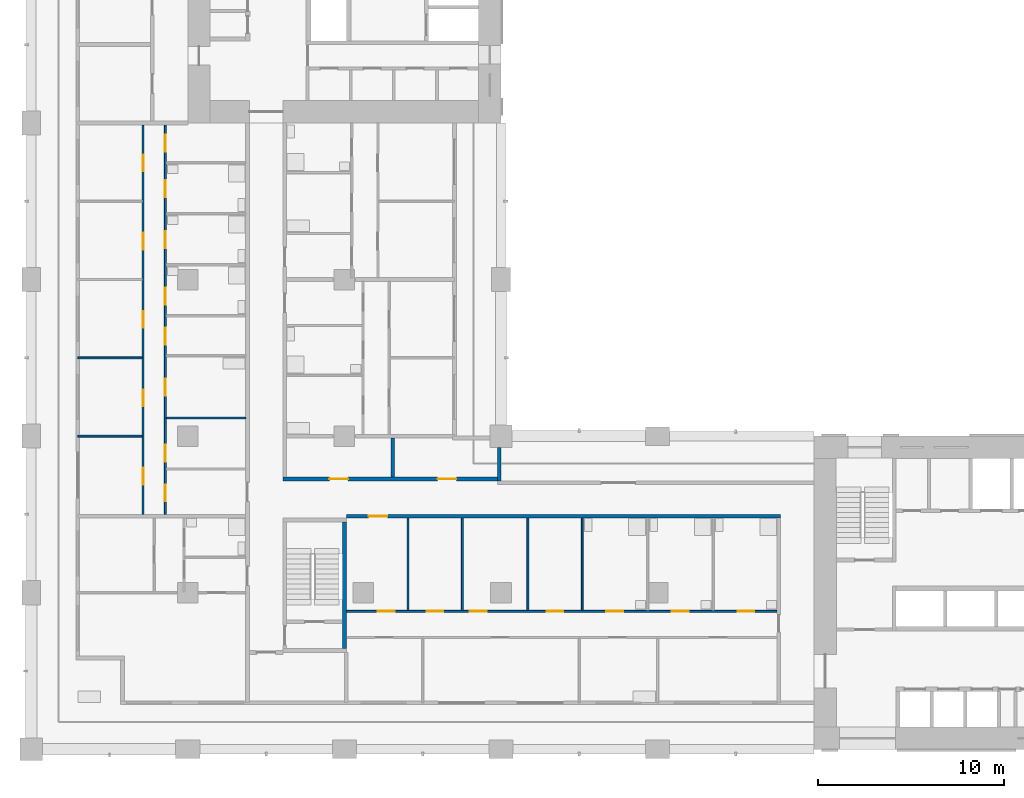
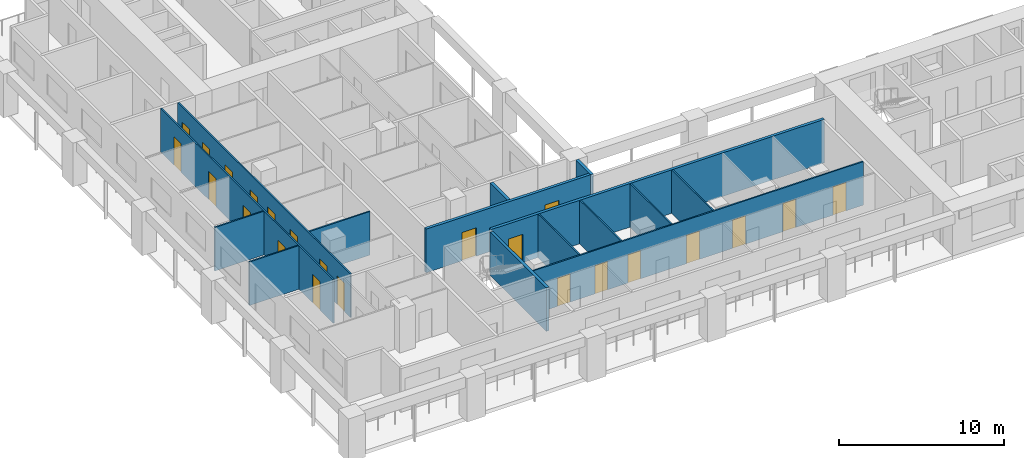
# One storey, part 3 of 17: 23 doors, 15 walls, 23 openings.
"""IFC4 building model written with IfcOpenShell, lengths in metres."""

from ifc_helpers import new_model, si_unit, direction, frame, frame_2d, origin, place, context, subcontext, project, spatial, rectangle, extrude, material, layer, layer_set, type_object, element, fill, save


model = new_model("IFC4")

# Units and contexts
model_context = context("Model", 3, precision=1e-05, world=origin(), true_north=direction((0.0, 1.0)))
body_context = subcontext(model_context, "Body", "Model", "MODEL_VIEW")
ifc_project = project(units=[si_unit("LENGTHUNIT", "METRE"), si_unit("AREAUNIT", "SQUARE_METRE"), si_unit("VOLUMEUNIT", "CUBIC_METRE"), si_unit("PLANEANGLEUNIT", "RADIAN"), si_unit("MASSUNIT", "GRAM", prefix="KILO")], contexts=[model_context])

# Site, building, storey
site_placement = place(None, origin())
site = spatial("IfcSite", under=ifc_project, at=site_placement, CompositionType="ELEMENT")
building_placement = place(site_placement, origin())
building = spatial("IfcBuilding", under=site, at=building_placement, Name="Vermilion Gate Residences", CompositionType="ELEMENT")
storey_placement = place(building_placement, frame((0.0, 0.0, 91.699951171875)))
storey = spatial("IfcBuildingStorey", under=building, at=storey_placement, Name="L22", CompositionType="ELEMENT", Elevation=91.699951171875)

# Wall
ifc_material_1 = material(Name="Insulated steel stud wall with terracotta rainscreen", Category="masonry")
ifc_layer_1 = layer(ifc_material_1, 0.199951171875)
ifc_layer_set_1 = layer_set([ifc_layer_1], Name="EXTERNAL WALL 200 TERRACOTTA RAINSCREEN")
wall_type_1 = type_object("IfcWallType", Name="EXTERNAL WALL 200 TERRACOTTA RAINSCREEN", PredefinedType="SOLIDWALL", material=ifc_layer_set_1)
wall_1_placement = place(storey_placement, frame((25.10009765625, 22.800048828125, 0.0), z_axis=(0.0, 0.0, 1.0), x_axis=(0.0, 1.0, 0.0)))
element("IfcWall", 1, at=wall_1_placement, inside=storey, type_object=wall_type_1, Name="External wall", PredefinedType="SOLIDWALL", context=body_context, shape_type="SweptSolid", body=[
    extrude(rectangle(XDim=1.800048828125, YDim=0.199951171875, at=frame_2d((0.89990234375, 0.0))), origin(), (0.0, 0.0, 1.0), 3.219970703125),
])

# Wall, openings, doors
ifc_material_2 = material(Name="Plasterboard on steel studs", Category="steel")
ifc_layer_2 = layer(ifc_material_2, 0.10009765625)
ifc_layer_set_2 = layer_set([ifc_layer_2], Name="PARTITION 100")
wall_type_2 = type_object("IfcWallType", Name="PARTITION 100", PredefinedType="PARTITIONING", material=ifc_layer_set_2)
wall_2_placement = place(storey_placement, frame((16.89990234375, 15.800048828125, 0.0), z_axis=(0.0, 0.0, 1.0), x_axis=(1.0, 0.0, 0.0)))
wall_2 = element("IfcWall", 2, at=wall_2_placement, inside=storey, type_object=wall_type_2, Name="Partition", PredefinedType="PARTITIONING", context=body_context, shape_type="SweptSolid", body=[
    extrude(rectangle(XDim=23.10009765625, YDim=0.10009765625, at=frame_2d((11.550048828125, 0.0))), origin(), (0.0, 0.0, 1.0), 3.219970703125),
])
opening_1_placement = place(wall_2_placement, frame((1.699951171875, 0.0, 0.0)))
opening_1 = element("IfcOpeningElement", 3, at=opening_1_placement, cuts=wall_2, Name="Opening DA22006", PredefinedType="OPENING", context=body_context, shape_type="SweptSolid", body=[
    extrude(rectangle(XDim=0.89990234375, YDim=2.10009765625, at=frame_2d((0.449951171875, 1.050048828125))), frame((0.0, 0.06005859375, 0.0), z_axis=(0.0, -1.0, 0.0), x_axis=(1.0, 0.0, 0.0)), (0.0, 0.0, 1.0), 0.1201171875),
])
opening_2_placement = place(wall_2_placement, frame((4.31396484375, 0.0, 0.0)))
opening_2 = element("IfcOpeningElement", 4, at=opening_2_placement, cuts=wall_2, Name="Opening DA22007", PredefinedType="OPENING", context=body_context, shape_type="SweptSolid", body=[
    extrude(rectangle(XDim=0.89990234375, YDim=2.10009765625, at=frame_2d((0.449951171875, 1.050048828125))), frame((0.0, 0.06005859375, 0.0), z_axis=(0.0, -1.0, 0.0), x_axis=(1.0, 0.0, 0.0)), (0.0, 0.0, 1.0), 0.1201171875),
])
opening_3_placement = place(wall_2_placement, frame((6.62890625, 0.0, 0.0)))
opening_3 = element("IfcOpeningElement", 5, at=opening_3_placement, cuts=wall_2, Name="Opening DA22008", PredefinedType="OPENING", context=body_context, shape_type="SweptSolid", body=[
    extrude(rectangle(XDim=0.89990234375, YDim=2.10009765625, at=frame_2d((0.449951171875, 1.050048828125))), frame((0.0, 0.06005859375, 0.0), z_axis=(0.0, -1.0, 0.0), x_axis=(1.0, 0.0, 0.0)), (0.0, 0.0, 1.0), 0.1201171875),
])
opening_4_placement = place(wall_2_placement, frame((10.742919921875, 0.0, 0.0)))
opening_4 = element("IfcOpeningElement", 6, at=opening_4_placement, cuts=wall_2, Name="Opening DA22009", PredefinedType="OPENING", context=body_context, shape_type="SweptSolid", body=[
    extrude(rectangle(XDim=0.89990234375, YDim=2.10009765625, at=frame_2d((0.449951171875, 1.050048828125))), frame((0.0, 0.06005859375, 0.0), z_axis=(0.0, -1.0, 0.0), x_axis=(1.0, 0.0, 0.0)), (0.0, 0.0, 1.0), 0.1201171875),
])
opening_5_placement = place(wall_2_placement, frame((13.95703125, 0.0, 0.0)))
opening_5 = element("IfcOpeningElement", 7, at=opening_5_placement, cuts=wall_2, Name="Opening DA22010", PredefinedType="OPENING", context=body_context, shape_type="SweptSolid", body=[
    extrude(rectangle(XDim=0.89990234375, YDim=2.10009765625, at=frame_2d((0.449951171875, 1.050048828125))), frame((0.0, 0.06005859375, 0.0), z_axis=(0.0, -1.0, 0.0), x_axis=(1.0, 0.0, 0.0)), (0.0, 0.0, 1.0), 0.1201171875),
])
opening_6_placement = place(wall_2_placement, frame((17.471923828125, 0.0, 0.0)))
opening_6 = element("IfcOpeningElement", 8, at=opening_6_placement, cuts=wall_2, Name="Opening DA22011", PredefinedType="OPENING", context=body_context, shape_type="SweptSolid", body=[
    extrude(rectangle(XDim=0.89990234375, YDim=2.10009765625, at=frame_2d((0.449951171875, 1.050048828125))), frame((0.0, 0.06005859375, 0.0), z_axis=(0.0, -1.0, 0.0), x_axis=(1.0, 0.0, 0.0)), (0.0, 0.0, 1.0), 0.1201171875),
])
opening_7_placement = place(wall_2_placement, frame((20.986083984375, 0.0, 0.0)))
opening_7 = element("IfcOpeningElement", 9, at=opening_7_placement, cuts=wall_2, Name="Opening DA22012", PredefinedType="OPENING", context=body_context, shape_type="SweptSolid", body=[
    extrude(rectangle(XDim=0.89990234375, YDim=2.10009765625, at=frame_2d((0.449951171875, 1.050048828125))), frame((0.0, 0.06005859375, 0.0), z_axis=(0.0, -1.0, 0.0), x_axis=(1.0, 0.0, 0.0)), (0.0, 0.0, 1.0), 0.1201171875),
])
ifc_material_3 = material(Name="Timber", Category="wood")
door_type_1 = type_object("IfcDoorType", Name="INTERIOR DOOR 900 X 2100", OperationType="SINGLE_SWING_LEFT", PredefinedType="DOOR", material=ifc_material_3)
door_1_placement = place(opening_1_placement, origin())
door_1 = element("IfcDoor", 10, at=door_1_placement, inside=storey, type_object=door_type_1, Name="Interior door", OperationType="SINGLE_SWING_RIGHT", OverallHeight=2.10009765625, OverallWidth=0.89990234375, PredefinedType="DOOR", context=body_context, shape_type="SweptSolid", body=[
    extrude(rectangle(XDim=0.89990234375, YDim=2.10009765625, at=frame_2d((0.449951171875, 1.050048828125))), frame((0.0, 0.02490234375, 0.0), z_axis=(0.0, -1.0, 0.0), x_axis=(1.0, 0.0, 0.0)), (0.0, 0.0, 1.0), 0.050048828125),
])
fill(opening_1, door_1)
door_2_placement = place(opening_2_placement, origin())
door_2 = element("IfcDoor", 11, at=door_2_placement, inside=storey, type_object=door_type_1, Name="Interior door", OperationType="SINGLE_SWING_LEFT", OverallHeight=2.10009765625, OverallWidth=0.89990234375, PredefinedType="DOOR", context=body_context, shape_type="SweptSolid", body=[
    extrude(rectangle(XDim=0.89990234375, YDim=2.10009765625, at=frame_2d((0.449951171875, 1.050048828125))), frame((0.0, 0.02490234375, 0.0), z_axis=(0.0, -1.0, 0.0), x_axis=(1.0, 0.0, 0.0)), (0.0, 0.0, 1.0), 0.050048828125),
])
fill(opening_2, door_2)
door_3_placement = place(opening_3_placement, origin())
door_3 = element("IfcDoor", 12, at=door_3_placement, inside=storey, type_object=door_type_1, Name="Interior door", OperationType="SINGLE_SWING_LEFT", OverallHeight=2.10009765625, OverallWidth=0.89990234375, PredefinedType="DOOR", context=body_context, shape_type="SweptSolid", body=[
    extrude(rectangle(XDim=0.89990234375, YDim=2.10009765625, at=frame_2d((0.449951171875, 1.050048828125))), frame((0.0, 0.02490234375, 0.0), z_axis=(0.0, -1.0, 0.0), x_axis=(1.0, 0.0, 0.0)), (0.0, 0.0, 1.0), 0.050048828125),
])
fill(opening_3, door_3)
door_4_placement = place(opening_4_placement, origin())
door_4 = element("IfcDoor", 13, at=door_4_placement, inside=storey, type_object=door_type_1, Name="Interior door", OperationType="SINGLE_SWING_LEFT", OverallHeight=2.10009765625, OverallWidth=0.89990234375, PredefinedType="DOOR", context=body_context, shape_type="SweptSolid", body=[
    extrude(rectangle(XDim=0.89990234375, YDim=2.10009765625, at=frame_2d((0.449951171875, 1.050048828125))), frame((0.0, 0.02490234375, 0.0), z_axis=(0.0, -1.0, 0.0), x_axis=(1.0, 0.0, 0.0)), (0.0, 0.0, 1.0), 0.050048828125),
])
fill(opening_4, door_4)
door_5_placement = place(opening_5_placement, origin())
door_5 = element("IfcDoor", 14, at=door_5_placement, inside=storey, type_object=door_type_1, Name="Interior door", OperationType="SINGLE_SWING_RIGHT", OverallHeight=2.10009765625, OverallWidth=0.89990234375, PredefinedType="DOOR", context=body_context, shape_type="SweptSolid", body=[
    extrude(rectangle(XDim=0.89990234375, YDim=2.10009765625, at=frame_2d((0.449951171875, 1.050048828125))), frame((0.0, 0.02490234375, 0.0), z_axis=(0.0, -1.0, 0.0), x_axis=(1.0, 0.0, 0.0)), (0.0, 0.0, 1.0), 0.050048828125),
])
fill(opening_5, door_5)
door_6_placement = place(opening_6_placement, origin())
door_6 = element("IfcDoor", 15, at=door_6_placement, inside=storey, type_object=door_type_1, Name="Interior door", OperationType="SINGLE_SWING_RIGHT", OverallHeight=2.10009765625, OverallWidth=0.89990234375, PredefinedType="DOOR", context=body_context, shape_type="SweptSolid", body=[
    extrude(rectangle(XDim=0.89990234375, YDim=2.10009765625, at=frame_2d((0.449951171875, 1.050048828125))), frame((0.0, 0.02490234375, 0.0), z_axis=(0.0, -1.0, 0.0), x_axis=(1.0, 0.0, 0.0)), (0.0, 0.0, 1.0), 0.050048828125),
])
fill(opening_6, door_6)
door_7_placement = place(opening_7_placement, origin())
door_7 = element("IfcDoor", 16, at=door_7_placement, inside=storey, type_object=door_type_1, Name="Interior door", OperationType="SINGLE_SWING_RIGHT", OverallHeight=2.10009765625, OverallWidth=0.89990234375, PredefinedType="DOOR", context=body_context, shape_type="SweptSolid", body=[
    extrude(rectangle(XDim=0.89990234375, YDim=2.10009765625, at=frame_2d((0.449951171875, 1.050048828125))), frame((0.0, 0.02490234375, 0.0), z_axis=(0.0, -1.0, 0.0), x_axis=(1.0, 0.0, 0.0)), (0.0, 0.0, 1.0), 0.050048828125),
])
fill(opening_7, door_7)

# Walls
wall_3_placement = place(storey_placement, frame((2.5, 25.199951171875, 0.0), z_axis=(0.0, 0.0, 1.0), x_axis=(1.0, 0.0, 0.0)))
element("IfcWall", 17, at=wall_3_placement, inside=storey, type_object=wall_type_2, Name="Partition", PredefinedType="PARTITIONING", context=body_context, shape_type="SweptSolid", body=[
    extrude(rectangle(XDim=3.449951171875, YDim=0.10009765625, at=frame_2d((1.72509765625, 0.0))), origin(), (0.0, 0.0, 1.0), 3.219970703125),
])
wall_4_placement = place(storey_placement, frame((7.25, 26.175048828125, 0.0), z_axis=(0.0, 0.0, 1.0), x_axis=(1.0, 0.0, 0.0)))
element("IfcWall", 18, at=wall_4_placement, inside=storey, type_object=wall_type_2, Name="Partition", PredefinedType="PARTITIONING", context=body_context, shape_type="SweptSolid", body=[
    extrude(rectangle(XDim=4.25, YDim=0.10009765625, at=frame_2d((2.125, 0.0))), origin(), (0.0, 0.0, 1.0), 3.219970703125),
])
wall_5_placement = place(storey_placement, frame((2.5, 29.39990234375, 0.0), z_axis=(0.0, 0.0, 1.0), x_axis=(1.0, 0.0, 0.0)))
element("IfcWall", 19, at=wall_5_placement, inside=storey, type_object=wall_type_2, Name="Partition", PredefinedType="PARTITIONING", context=body_context, shape_type="SweptSolid", body=[
    extrude(rectangle(XDim=3.449951171875, YDim=0.10009765625, at=frame_2d((1.72509765625, 0.0))), origin(), (0.0, 0.0, 1.0), 3.219970703125),
])

# Wall, openings, doors
wall_6_placement = place(storey_placement, frame((6.0, 21.0, 0.0), z_axis=(0.0, 0.0, 1.0), x_axis=(0.0, 1.0, 0.0)))
wall_6 = element("IfcWall", 20, at=wall_6_placement, inside=storey, type_object=wall_type_2, Name="Partition", PredefinedType="PARTITIONING", context=body_context, shape_type="SweptSolid", body=[
    extrude(rectangle(XDim=20.89990234375, YDim=0.10009765625, at=frame_2d((10.449951171875, 0.0))), origin(), (0.0, 0.0, 1.0), 3.219970703125),
])
opening_8_placement = place(wall_6_placement, frame((1.60009765625, 0.0, 0.0)))
opening_8 = element("IfcOpeningElement", 21, at=opening_8_placement, cuts=wall_6, Name="Opening DA22017", PredefinedType="OPENING", context=body_context, shape_type="SweptSolid", body=[
    extrude(rectangle(XDim=0.89990234375, YDim=2.10009765625, at=frame_2d((0.449951171875, 1.050048828125))), frame((0.0, 0.06005859375, 0.0), z_axis=(0.0, -1.0, 0.0), x_axis=(1.0, 0.0, 0.0)), (0.0, 0.0, 1.0), 0.1201171875),
])
opening_9_placement = place(wall_6_placement, frame((5.800048828125, 0.0, 0.0)))
opening_9 = element("IfcOpeningElement", 22, at=opening_9_placement, cuts=wall_6, Name="Opening DA22018", PredefinedType="OPENING", context=body_context, shape_type="SweptSolid", body=[
    extrude(rectangle(XDim=0.89990234375, YDim=2.10009765625, at=frame_2d((0.449951171875, 1.050048828125))), frame((0.0, 0.06005859375, 0.0), z_axis=(0.0, -1.0, 0.0), x_axis=(1.0, 0.0, 0.0)), (0.0, 0.0, 1.0), 0.1201171875),
])
opening_10_placement = place(wall_6_placement, frame((10.0, 0.0, 0.0)))
opening_10 = element("IfcOpeningElement", 23, at=opening_10_placement, cuts=wall_6, Name="Opening DA22019", PredefinedType="OPENING", context=body_context, shape_type="SweptSolid", body=[
    extrude(rectangle(XDim=0.89990234375, YDim=2.10009765625, at=frame_2d((0.449951171875, 1.050048828125))), frame((0.0, 0.06005859375, 0.0), z_axis=(0.0, -1.0, 0.0), x_axis=(1.0, 0.0, 0.0)), (0.0, 0.0, 1.0), 0.1201171875),
])
opening_11_placement = place(wall_6_placement, frame((14.199951171875, 0.0, 0.0)))
opening_11 = element("IfcOpeningElement", 24, at=opening_11_placement, cuts=wall_6, Name="Opening DA22020", PredefinedType="OPENING", context=body_context, shape_type="SweptSolid", body=[
    extrude(rectangle(XDim=0.89990234375, YDim=2.10009765625, at=frame_2d((0.449951171875, 1.050048828125))), frame((0.0, 0.06005859375, 0.0), z_axis=(0.0, -1.0, 0.0), x_axis=(1.0, 0.0, 0.0)), (0.0, 0.0, 1.0), 0.1201171875),
])
opening_12_placement = place(wall_6_placement, frame((18.39990234375, 0.0, 0.0)))
opening_12 = element("IfcOpeningElement", 25, at=opening_12_placement, cuts=wall_6, Name="Opening DA22021", PredefinedType="OPENING", context=body_context, shape_type="SweptSolid", body=[
    extrude(rectangle(XDim=0.89990234375, YDim=2.10009765625, at=frame_2d((0.449951171875, 1.050048828125))), frame((0.0, 0.06005859375, 0.0), z_axis=(0.0, -1.0, 0.0), x_axis=(1.0, 0.0, 0.0)), (0.0, 0.0, 1.0), 0.1201171875),
])
door_8_placement = place(opening_8_placement, origin())
door_8 = element("IfcDoor", 26, at=door_8_placement, inside=storey, type_object=door_type_1, Name="Interior door", OperationType="SINGLE_SWING_LEFT", OverallHeight=2.10009765625, OverallWidth=0.89990234375, PredefinedType="DOOR", context=body_context, shape_type="SweptSolid", body=[
    extrude(rectangle(XDim=0.89990234375, YDim=2.10009765625, at=frame_2d((0.449951171875, 1.050048828125))), frame((0.0, 0.02490234375, 0.0), z_axis=(0.0, -1.0, 0.0), x_axis=(1.0, 0.0, 0.0)), (0.0, 0.0, 1.0), 0.050048828125),
])
fill(opening_8, door_8)
door_9_placement = place(opening_9_placement, origin())
door_9 = element("IfcDoor", 27, at=door_9_placement, inside=storey, type_object=door_type_1, Name="Interior door", OperationType="SINGLE_SWING_LEFT", OverallHeight=2.10009765625, OverallWidth=0.89990234375, PredefinedType="DOOR", context=body_context, shape_type="SweptSolid", body=[
    extrude(rectangle(XDim=0.89990234375, YDim=2.10009765625, at=frame_2d((0.449951171875, 1.050048828125))), frame((0.0, 0.02490234375, 0.0), z_axis=(0.0, -1.0, 0.0), x_axis=(1.0, 0.0, 0.0)), (0.0, 0.0, 1.0), 0.050048828125),
])
fill(opening_9, door_9)
door_10_placement = place(opening_10_placement, origin())
door_10 = element("IfcDoor", 28, at=door_10_placement, inside=storey, type_object=door_type_1, Name="Interior door", OperationType="SINGLE_SWING_LEFT", OverallHeight=2.10009765625, OverallWidth=0.89990234375, PredefinedType="DOOR", context=body_context, shape_type="SweptSolid", body=[
    extrude(rectangle(XDim=0.89990234375, YDim=2.10009765625, at=frame_2d((0.449951171875, 1.050048828125))), frame((0.0, 0.02490234375, 0.0), z_axis=(0.0, -1.0, 0.0), x_axis=(1.0, 0.0, 0.0)), (0.0, 0.0, 1.0), 0.050048828125),
])
fill(opening_10, door_10)
door_11_placement = place(opening_11_placement, origin())
door_11 = element("IfcDoor", 29, at=door_11_placement, inside=storey, type_object=door_type_1, Name="Interior door", OperationType="SINGLE_SWING_LEFT", OverallHeight=2.10009765625, OverallWidth=0.89990234375, PredefinedType="DOOR", context=body_context, shape_type="SweptSolid", body=[
    extrude(rectangle(XDim=0.89990234375, YDim=2.10009765625, at=frame_2d((0.449951171875, 1.050048828125))), frame((0.0, 0.02490234375, 0.0), z_axis=(0.0, -1.0, 0.0), x_axis=(1.0, 0.0, 0.0)), (0.0, 0.0, 1.0), 0.050048828125),
])
fill(opening_11, door_11)
door_12_placement = place(opening_12_placement, origin())
door_12 = element("IfcDoor", 30, at=door_12_placement, inside=storey, type_object=door_type_1, Name="Interior door", OperationType="SINGLE_SWING_LEFT", OverallHeight=2.10009765625, OverallWidth=0.89990234375, PredefinedType="DOOR", context=body_context, shape_type="SweptSolid", body=[
    extrude(rectangle(XDim=0.89990234375, YDim=2.10009765625, at=frame_2d((0.449951171875, 1.050048828125))), frame((0.0, 0.02490234375, 0.0), z_axis=(0.0, -1.0, 0.0), x_axis=(1.0, 0.0, 0.0)), (0.0, 0.0, 1.0), 0.050048828125),
])
fill(opening_12, door_12)

wall_7_placement = place(storey_placement, frame((7.199951171875, 21.0, 0.0), z_axis=(0.0, 0.0, 1.0), x_axis=(0.0, 1.0, 0.0)))
wall_7 = element("IfcWall", 31, at=wall_7_placement, inside=storey, type_object=wall_type_2, Name="Partition", PredefinedType="PARTITIONING", context=body_context, shape_type="SweptSolid", body=[
    extrude(rectangle(XDim=20.89990234375, YDim=0.10009765625, at=frame_2d((10.449951171875, 0.0))), origin(), (0.0, 0.0, 1.0), 3.219970703125),
])
opening_13_placement = place(wall_7_placement, frame((0.699951171875, 0.0, 0.0)))
opening_13 = element("IfcOpeningElement", 32, at=opening_13_placement, cuts=wall_7, Name="Opening DA22026", PredefinedType="OPENING", context=body_context, shape_type="SweptSolid", body=[
    extrude(rectangle(XDim=0.89990234375, YDim=2.10009765625, at=frame_2d((0.449951171875, 1.050048828125))), frame((0.0, 0.06005859375, 0.0), z_axis=(0.0, -1.0, 0.0), x_axis=(1.0, 0.0, 0.0)), (0.0, 0.0, 1.0), 0.1201171875),
])
opening_14_placement = place(wall_7_placement, frame((2.837890625, 0.0, 0.0)))
opening_14 = element("IfcOpeningElement", 33, at=opening_14_placement, cuts=wall_7, Name="Opening DA22027", PredefinedType="OPENING", context=body_context, shape_type="SweptSolid", body=[
    extrude(rectangle(XDim=0.89990234375, YDim=2.10009765625, at=frame_2d((0.449951171875, 1.050048828125))), frame((0.0, 0.06005859375, 0.0), z_axis=(0.0, -1.0, 0.0), x_axis=(1.0, 0.0, 0.0)), (0.0, 0.0, 1.0), 0.1201171875),
])
opening_15_placement = place(wall_7_placement, frame((6.375, 0.0, 0.0)))
opening_15 = element("IfcOpeningElement", 34, at=opening_15_placement, cuts=wall_7, Name="Opening DA22028", PredefinedType="OPENING", context=body_context, shape_type="SweptSolid", body=[
    extrude(rectangle(XDim=0.89990234375, YDim=2.10009765625, at=frame_2d((0.449951171875, 1.050048828125))), frame((0.0, 0.06005859375, 0.0), z_axis=(0.0, -1.0, 0.0), x_axis=(1.0, 0.0, 0.0)), (0.0, 0.0, 1.0), 0.1201171875),
])
opening_16_placement = place(wall_7_placement, frame((9.113037109375, 0.0, 0.0)))
opening_16 = element("IfcOpeningElement", 35, at=opening_16_placement, cuts=wall_7, Name="Opening DA22029", PredefinedType="OPENING", context=body_context, shape_type="SweptSolid", body=[
    extrude(rectangle(XDim=0.89990234375, YDim=2.10009765625, at=frame_2d((0.449951171875, 1.050048828125))), frame((0.0, 0.06005859375, 0.0), z_axis=(0.0, -1.0, 0.0), x_axis=(1.0, 0.0, 0.0)), (0.0, 0.0, 1.0), 0.1201171875),
])
opening_17_placement = place(wall_7_placement, frame((11.25, 0.0, 0.0)))
opening_17 = element("IfcOpeningElement", 36, at=opening_17_placement, cuts=wall_7, Name="Opening DA22030", PredefinedType="OPENING", context=body_context, shape_type="SweptSolid", body=[
    extrude(rectangle(XDim=0.89990234375, YDim=2.10009765625, at=frame_2d((0.449951171875, 1.050048828125))), frame((0.0, 0.06005859375, 0.0), z_axis=(0.0, -1.0, 0.0), x_axis=(1.0, 0.0, 0.0)), (0.0, 0.0, 1.0), 0.1201171875),
])
opening_18_placement = place(wall_7_placement, frame((14.2880859375, 0.0, 0.0)))
opening_18 = element("IfcOpeningElement", 37, at=opening_18_placement, cuts=wall_7, Name="Opening DA22031", PredefinedType="OPENING", context=body_context, shape_type="SweptSolid", body=[
    extrude(rectangle(XDim=0.89990234375, YDim=2.10009765625, at=frame_2d((0.449951171875, 1.050048828125))), frame((0.0, 0.06005859375, 0.0), z_axis=(0.0, -1.0, 0.0), x_axis=(1.0, 0.0, 0.0)), (0.0, 0.0, 1.0), 0.1201171875),
])
opening_19_placement = place(wall_7_placement, frame((17.02490234375, 0.0, 0.0)))
opening_19 = element("IfcOpeningElement", 38, at=opening_19_placement, cuts=wall_7, Name="Opening DA22032", PredefinedType="OPENING", context=body_context, shape_type="SweptSolid", body=[
    extrude(rectangle(XDim=0.89990234375, YDim=2.10009765625, at=frame_2d((0.449951171875, 1.050048828125))), frame((0.0, 0.06005859375, 0.0), z_axis=(0.0, -1.0, 0.0), x_axis=(1.0, 0.0, 0.0)), (0.0, 0.0, 1.0), 0.1201171875),
])
opening_20_placement = place(wall_7_placement, frame((19.462890625, 0.0, 0.0)))
opening_20 = element("IfcOpeningElement", 39, at=opening_20_placement, cuts=wall_7, Name="Opening DA22033", PredefinedType="OPENING", context=body_context, shape_type="SweptSolid", body=[
    extrude(rectangle(XDim=0.89990234375, YDim=2.10009765625, at=frame_2d((0.449951171875, 1.050048828125))), frame((0.0, 0.06005859375, 0.0), z_axis=(0.0, -1.0, 0.0), x_axis=(1.0, 0.0, 0.0)), (0.0, 0.0, 1.0), 0.1201171875),
])
door_13_placement = place(opening_13_placement, frame((0.89990234375, 0.0, 0.0), z_axis=(0.0, 0.0, 1.0), x_axis=(-1.0, 0.0, 0.0)))
door_13 = element("IfcDoor", 40, at=door_13_placement, inside=storey, type_object=door_type_1, Name="Interior door", OperationType="SINGLE_SWING_RIGHT", OverallHeight=2.10009765625, OverallWidth=0.89990234375, PredefinedType="DOOR", context=body_context, shape_type="SweptSolid", body=[
    extrude(rectangle(XDim=0.89990234375, YDim=2.10009765625, at=frame_2d((0.449951171875, 1.050048828125))), frame((0.0, 0.02490234375, 0.0), z_axis=(0.0, -1.0, 0.0), x_axis=(1.0, 0.0, 0.0)), (0.0, 0.0, 1.0), 0.050048828125),
])
fill(opening_13, door_13)
door_14_placement = place(opening_14_placement, frame((0.89990234375, 0.0, 0.0), z_axis=(0.0, 0.0, 1.0), x_axis=(-1.0, 0.0, 0.0)))
door_14 = element("IfcDoor", 41, at=door_14_placement, inside=storey, type_object=door_type_1, Name="Interior door", OperationType="SINGLE_SWING_RIGHT", OverallHeight=2.10009765625, OverallWidth=0.89990234375, PredefinedType="DOOR", context=body_context, shape_type="SweptSolid", body=[
    extrude(rectangle(XDim=0.89990234375, YDim=2.10009765625, at=frame_2d((0.449951171875, 1.050048828125))), frame((0.0, 0.02490234375, 0.0), z_axis=(0.0, -1.0, 0.0), x_axis=(1.0, 0.0, 0.0)), (0.0, 0.0, 1.0), 0.050048828125),
])
fill(opening_14, door_14)
door_15_placement = place(opening_15_placement, frame((0.89990234375, 0.0, 0.0), z_axis=(0.0, 0.0, 1.0), x_axis=(-1.0, 0.0, 0.0)))
door_15 = element("IfcDoor", 42, at=door_15_placement, inside=storey, type_object=door_type_1, Name="Interior door", OperationType="SINGLE_SWING_RIGHT", OverallHeight=2.10009765625, OverallWidth=0.89990234375, PredefinedType="DOOR", context=body_context, shape_type="SweptSolid", body=[
    extrude(rectangle(XDim=0.89990234375, YDim=2.10009765625, at=frame_2d((0.449951171875, 1.050048828125))), frame((0.0, 0.02490234375, 0.0), z_axis=(0.0, -1.0, 0.0), x_axis=(1.0, 0.0, 0.0)), (0.0, 0.0, 1.0), 0.050048828125),
])
fill(opening_15, door_15)
door_16_placement = place(opening_16_placement, frame((0.89990234375, 0.0, 0.0), z_axis=(0.0, 0.0, 1.0), x_axis=(-1.0, 0.0, 0.0)))
door_16 = element("IfcDoor", 43, at=door_16_placement, inside=storey, type_object=door_type_1, Name="Interior door", OperationType="SINGLE_SWING_RIGHT", OverallHeight=2.10009765625, OverallWidth=0.89990234375, PredefinedType="DOOR", context=body_context, shape_type="SweptSolid", body=[
    extrude(rectangle(XDim=0.89990234375, YDim=2.10009765625, at=frame_2d((0.449951171875, 1.050048828125))), frame((0.0, 0.02490234375, 0.0), z_axis=(0.0, -1.0, 0.0), x_axis=(1.0, 0.0, 0.0)), (0.0, 0.0, 1.0), 0.050048828125),
])
fill(opening_16, door_16)
door_17_placement = place(opening_17_placement, frame((0.89990234375, 0.0, 0.0), z_axis=(0.0, 0.0, 1.0), x_axis=(-1.0, 0.0, 0.0)))
door_17 = element("IfcDoor", 44, at=door_17_placement, inside=storey, type_object=door_type_1, Name="Interior door", OperationType="SINGLE_SWING_RIGHT", OverallHeight=2.10009765625, OverallWidth=0.89990234375, PredefinedType="DOOR", context=body_context, shape_type="SweptSolid", body=[
    extrude(rectangle(XDim=0.89990234375, YDim=2.10009765625, at=frame_2d((0.449951171875, 1.050048828125))), frame((0.0, 0.02490234375, 0.0), z_axis=(0.0, -1.0, 0.0), x_axis=(1.0, 0.0, 0.0)), (0.0, 0.0, 1.0), 0.050048828125),
])
fill(opening_17, door_17)
door_18_placement = place(opening_18_placement, frame((0.89990234375, 0.0, 0.0), z_axis=(0.0, 0.0, 1.0), x_axis=(-1.0, 0.0, 0.0)))
door_18 = element("IfcDoor", 45, at=door_18_placement, inside=storey, type_object=door_type_1, Name="Interior door", OperationType="SINGLE_SWING_LEFT", OverallHeight=2.10009765625, OverallWidth=0.89990234375, PredefinedType="DOOR", context=body_context, shape_type="SweptSolid", body=[
    extrude(rectangle(XDim=0.89990234375, YDim=2.10009765625, at=frame_2d((0.449951171875, 1.050048828125))), frame((0.0, 0.02490234375, 0.0), z_axis=(0.0, -1.0, 0.0), x_axis=(1.0, 0.0, 0.0)), (0.0, 0.0, 1.0), 0.050048828125),
])
fill(opening_18, door_18)
door_19_placement = place(opening_19_placement, frame((0.89990234375, 0.0, 0.0), z_axis=(0.0, 0.0, 1.0), x_axis=(-1.0, 0.0, 0.0)))
door_19 = element("IfcDoor", 46, at=door_19_placement, inside=storey, type_object=door_type_1, Name="Interior door", OperationType="SINGLE_SWING_LEFT", OverallHeight=2.10009765625, OverallWidth=0.89990234375, PredefinedType="DOOR", context=body_context, shape_type="SweptSolid", body=[
    extrude(rectangle(XDim=0.89990234375, YDim=2.10009765625, at=frame_2d((0.449951171875, 1.050048828125))), frame((0.0, 0.02490234375, 0.0), z_axis=(0.0, -1.0, 0.0), x_axis=(1.0, 0.0, 0.0)), (0.0, 0.0, 1.0), 0.050048828125),
])
fill(opening_19, door_19)
door_20_placement = place(opening_20_placement, frame((0.89990234375, 0.0, 0.0), z_axis=(0.0, 0.0, 1.0), x_axis=(-1.0, 0.0, 0.0)))
door_20 = element("IfcDoor", 47, at=door_20_placement, inside=storey, type_object=door_type_1, Name="Interior door", OperationType="SINGLE_SWING_LEFT", OverallHeight=2.10009765625, OverallWidth=0.89990234375, PredefinedType="DOOR", context=body_context, shape_type="SweptSolid", body=[
    extrude(rectangle(XDim=0.89990234375, YDim=2.10009765625, at=frame_2d((0.449951171875, 1.050048828125))), frame((0.0, 0.02490234375, 0.0), z_axis=(0.0, -1.0, 0.0), x_axis=(1.0, 0.0, 0.0)), (0.0, 0.0, 1.0), 0.050048828125),
])
fill(opening_20, door_20)

# Walls
for number, where, z_axis, x_axis, name in (
    (48, (20.214111328125, 15.85009765625, 0.0), (0.0, 0.0, 1.0), (0.0, 1.0, 0.0), "Partition"),
    (49, (23.12890625, 15.85009765625, 0.0), (0.0, 0.0, 1.0), (0.0, 1.0, 0.0), "Partition"),
    (50, (26.64306640625, 15.85009765625, 0.0), (0.0, 0.0, 1.0), (0.0, 1.0, 0.0), "Partition"),
    (51, (29.556884765625, 15.85009765625, 0.0), (0.0, 0.0, 1.0), (0.0, 1.0, 0.0), "Partition"),
):
    element("IfcWall", number, at=place(storey_placement, frame(where, z_axis=z_axis, x_axis=x_axis)), inside=storey, type_object=wall_type_2, Name=name, PredefinedType="PARTITIONING", context=body_context, shape_type="SweptSolid", body=[
        extrude(rectangle(XDim=4.949951171875, YDim=0.10009765625, at=frame_2d((2.47509765625, 0.0))), origin(), (0.0, 0.0, 1.0), 3.219970703125),
    ])

# Wall, opening, door
ifc_material_4 = material(Name="Fire-rated plasterboard on steel studs", Category="steel")
ifc_layer_3 = layer(ifc_material_4, 0.199951171875)
ifc_layer_set_3 = layer_set([ifc_layer_3], Name="PARTY WALL 200 EI 120")
wall_type_3 = type_object("IfcWallType", Name="PARTY WALL 200 EI 120", PredefinedType="PARTITIONING", material=ifc_layer_set_3)
wall_8_placement = place(storey_placement, frame((16.89990234375, 20.89990234375, 0.0), z_axis=(0.0, 0.0, 1.0), x_axis=(1.0, 0.0, 0.0)))
wall_8 = element("IfcWall", 52, at=wall_8_placement, inside=storey, type_object=wall_type_3, Name="Party and corridor wall", PredefinedType="PARTITIONING", context=body_context, shape_type="SweptSolid", body=[
    extrude(rectangle(XDim=23.300048828125, YDim=0.199951171875, at=frame_2d((11.64990234375, 0.0))), origin(), (0.0, 0.0, 1.0), 3.219970703125),
])
opening_21_placement = place(wall_8_placement, frame((1.199951171875, 0.0, 0.0)))
opening_21 = element("IfcOpeningElement", 53, at=opening_21_placement, cuts=wall_8, Name="Opening DA22014", PredefinedType="OPENING", context=body_context, shape_type="SweptSolid", body=[
    extrude(rectangle(XDim=1.0, YDim=2.10009765625, at=frame_2d((0.5, 1.050048828125))), frame((0.0, 0.10986328125, 0.0), z_axis=(0.0, -1.0, 0.0), x_axis=(1.0, 0.0, 0.0)), (0.0, 0.0, 1.0), 0.219970703125),
])
ifc_material_5 = material(Name="Steel", Category="steel")
door_type_2 = type_object("IfcDoorType", Name="ENTRANCE DOOR 1000 X 2100 FD30", OperationType="SINGLE_SWING_LEFT", PredefinedType="DOOR", material=ifc_material_5)
door_21_placement = place(opening_21_placement, frame((1.0, 0.0, 0.0), z_axis=(0.0, 0.0, 1.0), x_axis=(-1.0, 0.0, 0.0)))
door_21 = element("IfcDoor", 54, at=door_21_placement, inside=storey, type_object=door_type_2, Name="Entrance door", OperationType="SINGLE_SWING_LEFT", OverallHeight=2.10009765625, OverallWidth=1.0, PredefinedType="DOOR", context=body_context, shape_type="SweptSolid", body=[
    extrude(rectangle(XDim=1.0, YDim=2.10009765625, at=frame_2d((0.5, 1.050048828125))), frame((0.0, 0.02490234375, 0.0), z_axis=(0.0, -1.0, 0.0), x_axis=(1.0, 0.0, 0.0)), (0.0, 0.0, 1.0), 0.050048828125),
])
fill(opening_21, door_21)

# Wall, openings, doors
wall_9_placement = place(storey_placement, frame((13.5, 22.89990234375, 0.0), z_axis=(0.0, 0.0, 1.0), x_axis=(1.0, 0.0, 0.0)))
wall_9 = element("IfcWall", 55, at=wall_9_placement, inside=storey, type_object=wall_type_3, Name="Party and corridor wall", PredefinedType="PARTITIONING", context=body_context, shape_type="SweptSolid", body=[
    extrude(rectangle(XDim=11.60009765625, YDim=0.199951171875, at=frame_2d((5.800048828125, 0.0))), origin(), (0.0, 0.0, 1.0), 3.219970703125),
])
opening_22_placement = place(wall_9_placement, frame((2.5, 0.0, 0.0)))
opening_22 = element("IfcOpeningElement", 56, at=opening_22_placement, cuts=wall_9, Name="Opening DA22015", PredefinedType="OPENING", context=body_context, shape_type="SweptSolid", body=[
    extrude(rectangle(XDim=1.0, YDim=2.10009765625, at=frame_2d((0.5, 1.050048828125))), frame((0.0, 0.10986328125, 0.0), z_axis=(0.0, -1.0, 0.0), x_axis=(1.0, 0.0, 0.0)), (0.0, 0.0, 1.0), 0.219970703125),
])
opening_23_placement = place(wall_9_placement, frame((8.300048828125, 0.0, 0.0)))
opening_23 = element("IfcOpeningElement", 57, at=opening_23_placement, cuts=wall_9, Name="Opening DA22016", PredefinedType="OPENING", context=body_context, shape_type="SweptSolid", body=[
    extrude(rectangle(XDim=1.0, YDim=2.10009765625, at=frame_2d((0.5, 1.050048828125))), frame((0.0, 0.10986328125, 0.0), z_axis=(0.0, -1.0, 0.0), x_axis=(1.0, 0.0, 0.0)), (0.0, 0.0, 1.0), 0.219970703125),
])
door_22_placement = place(opening_22_placement, origin())
door_22 = element("IfcDoor", 58, at=door_22_placement, inside=storey, type_object=door_type_2, Name="Entrance door", OperationType="SINGLE_SWING_RIGHT", OverallHeight=2.10009765625, OverallWidth=1.0, PredefinedType="DOOR", context=body_context, shape_type="SweptSolid", body=[
    extrude(rectangle(XDim=1.0, YDim=2.10009765625, at=frame_2d((0.5, 1.050048828125))), frame((0.0, 0.02490234375, 0.0), z_axis=(0.0, -1.0, 0.0), x_axis=(1.0, 0.0, 0.0)), (0.0, 0.0, 1.0), 0.050048828125),
])
fill(opening_22, door_22)
door_23_placement = place(opening_23_placement, origin())
door_23 = element("IfcDoor", 59, at=door_23_placement, inside=storey, type_object=door_type_2, Name="Entrance door", OperationType="SINGLE_SWING_RIGHT", OverallHeight=2.10009765625, OverallWidth=1.0, PredefinedType="DOOR", context=body_context, shape_type="SweptSolid", body=[
    extrude(rectangle(XDim=1.0, YDim=2.10009765625, at=frame_2d((0.5, 1.050048828125))), frame((0.0, 0.02490234375, 0.0), z_axis=(0.0, -1.0, 0.0), x_axis=(1.0, 0.0, 0.0)), (0.0, 0.0, 1.0), 0.050048828125),
])
fill(opening_23, door_23)

# Walls
wall_10_placement = place(storey_placement, frame((19.39990234375, 23.0, 0.0), z_axis=(0.0, 0.0, 1.0), x_axis=(0.0, 1.0, 0.0)))
element("IfcWall", 60, at=wall_10_placement, inside=storey, type_object=wall_type_3, Name="Party and corridor wall", PredefinedType="PARTITIONING", context=body_context, shape_type="SweptSolid", body=[
    extrude(rectangle(XDim=2.10009765625, YDim=0.199951171875, at=frame_2d((1.050048828125, 0.0))), origin(), (0.0, 0.0, 1.0), 3.219970703125),
])
ifc_material_6 = material(Name="Concrete C60", Category="concrete")
ifc_layer_4 = layer(ifc_material_6, 0.199951171875)
ifc_layer_set_4 = layer_set([ifc_layer_4], Name="RC CORE INTERNAL WALL 200 C60")
wall_type_4 = type_object("IfcWallType", Name="RC CORE INTERNAL WALL 200 C60", PredefinedType="SHEAR", material=ifc_layer_set_4)
wall_11_placement = place(storey_placement, frame((16.800048828125, 13.800048828125, 0.0), z_axis=(0.0, 0.0, 1.0), x_axis=(0.0, 1.0, 0.0)))
element("IfcWall", 61, at=wall_11_placement, inside=storey, type_object=wall_type_4, Name="Core internal wall C22-E", PredefinedType="SHEAR", context=body_context, shape_type="SweptSolid", body=[
    extrude(rectangle(XDim=6.800048828125, YDim=0.199951171875, at=frame_2d((3.39990234375, 0.0))), origin(), (0.0, 0.0, 1.0), 3.219970703125),
])

save(model, "model.ifc")
